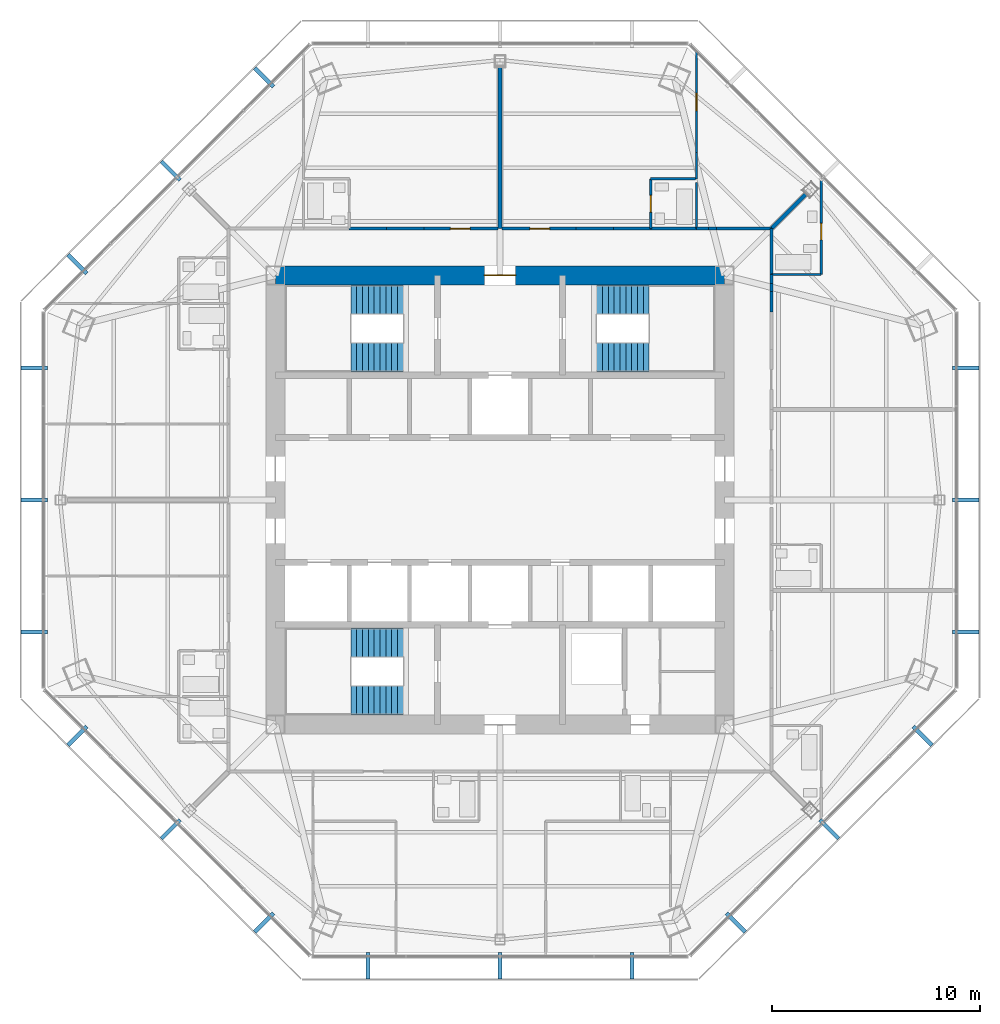
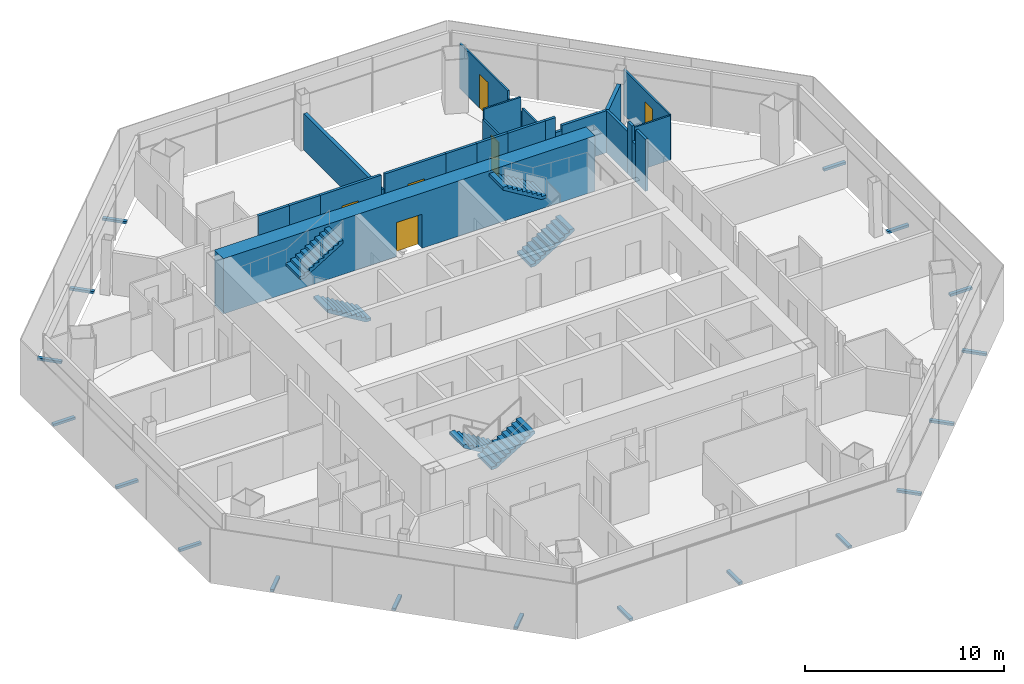
# One storey, part 12 of 15: 24 walls, 18 discrete accessories, 6 doors, 6 stair flights, 6 openings, 3 elements without a shape of their own.
"""IFC4 building model written with IfcOpenShell, lengths in metres."""

from ifc_helpers import new_model, si_unit, direction, frame, frame_2d, origin, origin_2d, place, context, subcontext, project, spatial, polyline, rectangle, outline, extrude, source, transform, mapped, material, layer, layer_set, type_object, type_shapes, element, fill, aggregate, save


model = new_model("IFC4")

# Units and contexts
model_context = context("Model", 3, precision=1e-05, world=origin(), true_north=direction((0.0, 1.0)))
body_context = subcontext(model_context, "Body", "Model", "MODEL_VIEW")
ifc_project = project(units=[si_unit("LENGTHUNIT", "METRE"), si_unit("AREAUNIT", "SQUARE_METRE"), si_unit("VOLUMEUNIT", "CUBIC_METRE"), si_unit("PLANEANGLEUNIT", "RADIAN"), si_unit("MASSUNIT", "GRAM", prefix="KILO")], contexts=[model_context])

# Site, building, storey
site_placement = place(None, origin())
site = spatial("IfcSite", under=ifc_project, at=site_placement, CompositionType="ELEMENT")
building_placement = place(site_placement, origin())
building = spatial("IfcBuilding", under=site, at=building_placement, Name="Mashrafa Tower", CompositionType="ELEMENT")
storey_placement = place(building_placement, frame((0.0, 0.0, 214.199951171875)))
storey = spatial("IfcBuildingStorey", under=building, at=storey_placement, Name="L49", CompositionType="ELEMENT", Elevation=214.199951171875)

# Walls
ifc_material_1 = material(Name="Gypsum board on steel studs", Category="steel")
ifc_layer_1 = layer(ifc_material_1, 0.199951171875)
ifc_layer_set_1 = layer_set([ifc_layer_1], Name="Acoustic partition 200 1 hr")
wall_type_1 = type_object("IfcWallType", Name="Acoustic partition 200 1 hr", PredefinedType="PARTITIONING", material=ifc_layer_set_1)
wall_1_placement = place(storey_placement, frame((14.70068359375, 14.70068359375, 0.0), z_axis=(0.0, 0.0, 1.0), x_axis=(-0.707106781187, -0.707106781187, 0.0)))
element("IfcWall", 1, at=wall_1_placement, inside=storey, type_object=wall_type_1, Name="Acoustic wall L49-071", PredefinedType="PARTITIONING", context=body_context, shape_type="SweptSolid", body=[
    extrude(rectangle(XDim=2.334228515625, YDim=0.199951171875, at=frame_2d((1.1669921875, 0.0))), origin(), (0.0, 0.0, 1.0), 2.577880859375),
])
wall_2_placement = place(storey_placement, frame((0.0, 20.7900390625, 0.0), z_axis=(0.0, 0.0, 1.0), x_axis=(0.0, -1.0, 0.0)))
element("IfcWall", 2, at=wall_2_placement, inside=storey, type_object=wall_type_1, Name="Acoustic wall L49-077", PredefinedType="PARTITIONING", context=body_context, shape_type="SweptSolid", body=[
    extrude(rectangle(XDim=7.739990234375, YDim=0.199951171875, at=frame_2d((3.8701171875, 0.0))), origin(), (0.0, 0.0, 1.0), 2.2529296875),
])

# Wall, opening, door
ifc_material_2 = material(Name="Concrete C50/60", Category="concrete")
ifc_layer_2 = layer(ifc_material_2, 0.89990234375)
ifc_layer_set_2 = layer_set([ifc_layer_2], Name="Core wall 900 C50/60")
wall_type_2 = type_object("IfcWallType", Name="Core wall 900 C50/60", PredefinedType="SOLIDWALL", material=ifc_layer_set_2)
wall_3_placement = place(storey_placement, frame((10.800048828125, 10.800048828125, 0.0), z_axis=(0.0, 0.0, 1.0), x_axis=(-1.0, 0.0, 0.0)))
wall_3 = element("IfcWall", 3, at=wall_3_placement, inside=storey, type_object=wall_type_2, Name="Core wall CW-N L49", PredefinedType="SOLIDWALL", context=body_context, shape_type="SweptSolid", body=[
    extrude(rectangle(XDim=21.60009765625, YDim=0.89990234375, at=frame_2d((10.800048828125, 0.0))), origin(), (0.0, 0.0, 1.0), 3.400146484375),
])
opening_1_placement = place(wall_3_placement, frame((10.050048828125, 0.0, 0.0)))
opening_1 = element("IfcOpeningElement", 4, at=opening_1_placement, cuts=wall_3, Name="Opening 49.034", PredefinedType="OPENING", context=body_context, shape_type="SweptSolid", body=[
    extrude(rectangle(XDim=1.5, YDim=2.10009765625, at=frame_2d((0.75, 1.050048828125))), frame((0.0, 0.4599609375, 0.0), z_axis=(0.0, -1.0, 0.0), x_axis=(1.0, 0.0, 0.0)), (0.0, 0.0, 1.0), 0.919921875),
])
ifc_material_3 = material(Name="Steel door", Category="steel")
door_type_1 = type_object("IfcDoorType", Name="Lobby door pair 1500 x 2100 90 min", OperationType="DOUBLE_DOOR_SINGLE_SWING", PredefinedType="DOOR", material=ifc_material_3)
door_1_placement = place(opening_1_placement, origin())
door_1 = element("IfcDoor", 5, at=door_1_placement, inside=storey, type_object=door_type_1, Name="Fire-fighting lobby F1 door L49", OperationType="DOUBLE_DOOR_SINGLE_SWING", OverallHeight=2.10009765625, OverallWidth=1.5, PredefinedType="DOOR", context=body_context, shape_type="SweptSolid", body=[
    extrude(rectangle(XDim=1.5, YDim=2.10009765625, at=frame_2d((0.75, 1.050048828125))), frame((0.0, 0.02490234375, 0.0), z_axis=(0.0, -1.0, 0.0), x_axis=(1.0, 0.0, 0.0)), (0.0, 0.0, 1.0), 0.050048828125),
])
fill(opening_1, door_1)

# Walls
ifc_material_4 = material(Name="Gypsum board on steel studs", Category="steel")
ifc_layer_3 = layer(ifc_material_4, 0.14990234375)
ifc_layer_set_3 = layer_set([ifc_layer_3], Name="Corridor partition 150 1 hr")
wall_type_3 = type_object("IfcWallType", Name="Corridor partition 150 1 hr", PredefinedType="PARTITIONING", material=ifc_layer_set_3)
wall_4_placement = place(storey_placement, frame((13.050048828125, 10.84912109375, 0.0), z_axis=(0.0, 0.0, 1.0), x_axis=(0.0, 1.0, 0.0)))
element("IfcWall", 6, at=wall_4_placement, inside=storey, type_object=wall_type_3, Name="Corridor wall L49-012", PredefinedType="PARTITIONING", context=body_context, shape_type="SweptSolid", body=[
    extrude(rectangle(XDim=2.200927734375, YDim=0.14990234375, at=frame_2d((1.1005859375, 0.0))), origin(), (0.0, 0.0, 1.0), 2.577880859375),
])
wall_5_placement = place(storey_placement, frame((13.050048828125, 9.049072265625, 0.0), z_axis=(0.0, 0.0, 1.0), x_axis=(0.0, 1.0, 0.0)))
element("IfcWall", 7, at=wall_5_placement, inside=storey, type_object=wall_type_3, Name="Corridor wall L49-015", PredefinedType="PARTITIONING", context=body_context, shape_type="SweptSolid", body=[
    extrude(rectangle(XDim=0.97802734375, YDim=0.14990234375, at=frame_2d((0.489013671875, 0.0))), origin(), (0.0, 0.0, 1.0), 3.199951171875),
])
wall_6_placement = place(storey_placement, frame((13.050048828125, 10.404052734375, 0.0), z_axis=(0.0, 0.0, 1.0), x_axis=(0.0, 1.0, 0.0)))
element("IfcWall", 8, at=wall_6_placement, inside=storey, type_object=wall_type_3, Name="Corridor wall L49-016", PredefinedType="PARTITIONING", context=body_context, shape_type="SweptSolid", body=[
    extrude(rectangle(XDim=0.447021484375, YDim=0.14990234375, at=frame_2d((0.2236328125, 0.0))), origin(), (0.0, 0.0, 1.0), 3.199951171875),
])
wall_7_placement = place(storey_placement, frame((13.050048828125, 10.027099609375, 0.0), z_axis=(0.0, 0.0, 1.0), x_axis=(0.0, 1.0, 0.0)))
element("IfcWall", 9, at=wall_7_placement, inside=storey, type_object=wall_type_3, Name="Corridor wall L49-017", PredefinedType="PARTITIONING", context=body_context, shape_type="SweptSolid", body=[
    extrude(rectangle(XDim=0.376953125, YDim=0.14990234375, at=frame_2d((0.1884765625, 0.0))), origin(), (0.0, 0.0, 1.0), 2.26806640625),
])
wall_8_placement = place(storey_placement, frame((13.050048828125, 13.050048828125, 0.0), z_axis=(0.0, 0.0, 1.0), x_axis=(-1.0, 0.0, 0.0)))
element("IfcWall", 10, at=wall_8_placement, inside=storey, type_object=wall_type_3, Name="Corridor wall L49-018", PredefinedType="PARTITIONING", context=body_context, shape_type="SweptSolid", body=[
    extrude(rectangle(XDim=2.64599609375, YDim=0.14990234375, at=frame_2d((1.322998046875, 0.0))), origin(), (0.0, 0.0, 1.0), 2.577880859375),
])
wall_9_placement = place(storey_placement, frame((10.027099609375, 13.050048828125, 0.0), z_axis=(0.0, 0.0, 1.0), x_axis=(-1.0, 0.0, 0.0)))
element("IfcWall", 11, at=wall_9_placement, inside=storey, type_object=wall_type_3, Name="Corridor wall L49-019", PredefinedType="PARTITIONING", context=body_context, shape_type="SweptSolid", body=[
    extrude(rectangle(XDim=0.578125, YDim=0.14990234375, at=frame_2d((0.2890625, 0.0))), origin(), (0.0, 0.0, 1.0), 3.199951171875),
])
wall_10_placement = place(storey_placement, frame((10.404052734375, 13.050048828125, 0.0), z_axis=(0.0, 0.0, 1.0), x_axis=(-1.0, 0.0, 0.0)))
element("IfcWall", 12, at=wall_10_placement, inside=storey, type_object=wall_type_3, Name="Corridor wall L49-020", PredefinedType="PARTITIONING", context=body_context, shape_type="SweptSolid", body=[
    extrude(rectangle(XDim=0.376953125, YDim=0.14990234375, at=frame_2d((0.1884765625, 0.0))), origin(), (0.0, 0.0, 1.0), 2.26806640625),
])
wall_11_placement = place(storey_placement, frame((9.450927734375, 13.050048828125, 0.0), z_axis=(0.0, 0.0, 1.0), x_axis=(-1.0, 0.0, 0.0)))
element("IfcWall", 13, at=wall_11_placement, inside=storey, type_object=wall_type_3, Name="Corridor wall L49-021", PredefinedType="PARTITIONING", context=body_context, shape_type="SweptSolid", body=[
    extrude(rectangle(XDim=2.201904296875, YDim=0.14990234375, at=frame_2d((1.10107421875, 0.0))), origin(), (0.0, 0.0, 1.0), 3.199951171875),
])
wall_12_placement = place(storey_placement, frame((5.450927734375, 13.050048828125, 0.0), z_axis=(0.0, 0.0, 1.0), x_axis=(-1.0, 0.0, 0.0)))
element("IfcWall", 14, at=wall_12_placement, inside=storey, type_object=wall_type_3, Name="Corridor wall L49-022", PredefinedType="PARTITIONING", context=body_context, shape_type="SweptSolid", body=[
    extrude(rectangle(XDim=1.802001953125, YDim=0.14990234375, at=frame_2d((0.90087890625, 0.0))), origin(), (0.0, 0.0, 1.0), 3.199951171875),
])

# Wall, opening, door
wall_13_placement = place(storey_placement, frame((3.65087890625, 13.050048828125, 0.0), z_axis=(0.0, 0.0, 1.0), x_axis=(-1.0, 0.0, 0.0)))
wall_13 = element("IfcWall", 15, at=wall_13_placement, inside=storey, type_object=wall_type_3, Name="Corridor wall L49-023", PredefinedType="PARTITIONING", context=body_context, shape_type="SweptSolid", body=[
    extrude(rectangle(XDim=3.548828125, YDim=0.14990234375, at=frame_2d((1.7744140625, 0.0))), origin(), (0.0, 0.0, 1.0), 3.199951171875),
])
opening_2_placement = place(wall_13_placement, frame((1.2587890625, 0.0, 0.0)))
opening_2 = element("IfcOpeningElement", 16, at=opening_2_placement, cuts=wall_13, Name="Opening 49.009", PredefinedType="OPENING", context=body_context, shape_type="SweptSolid", body=[
    extrude(rectangle(XDim=0.949951171875, YDim=2.10009765625, at=frame_2d((0.47509765625, 1.050048828125))), frame((0.0, 0.0849609375, 0.0), z_axis=(0.0, -1.0, 0.0), x_axis=(1.0, 0.0, 0.0)), (0.0, 0.0, 1.0), 0.169921875),
])
ifc_material_5 = material(Name="Steel door", Category="steel")
door_type_2 = type_object("IfcDoorType", Name="Residence entrance door 950 x 2100 20 min", OperationType="USERDEFINED", PredefinedType="DOOR", material=ifc_material_5)
door_2_placement = place(opening_2_placement, frame((0.949951171875, 0.0, 0.0), z_axis=(0.0, 0.0, 1.0), x_axis=(-1.0, 0.0, 0.0)))
door_2 = element("IfcDoor", 17, at=door_2_placement, inside=storey, type_object=door_type_2, Name="Apartment 4904 Living Room door", OperationType="SINGLE_SWING_RIGHT", OverallHeight=2.10009765625, OverallWidth=0.949951171875, PredefinedType="DOOR", context=body_context, shape_type="SweptSolid", body=[
    extrude(rectangle(XDim=0.949951171875, YDim=2.10009765625, at=frame_2d((0.47509765625, 1.050048828125))), frame((0.0, 0.02490234375, 0.0), z_axis=(0.0, -1.0, 0.0), x_axis=(1.0, 0.0, 0.0)), (0.0, 0.0, 1.0), 0.050048828125),
])
fill(opening_2, door_2)

# Walls
for number, where, z_axis, x_axis, name in (
    (18, (7.2509765625, 13.050048828125, 0.0), (0.0, 0.0, 1.0), (-1.0, 0.0, 0.0), "Corridor wall L49-024"),
    (19, (-3.64892578125, 13.050048828125, 0.0), (0.0, 0.0, 1.0), (-1.0, 0.0, 0.0), "Corridor wall L49-029"),
    (20, (-5.448974609375, 13.050048828125, 0.0), (0.0, 0.0, 1.0), (-1.0, 0.0, 0.0), "Corridor wall L49-030"),
):
    element("IfcWall", number, at=place(storey_placement, frame(where, z_axis=z_axis, x_axis=x_axis)), inside=storey, type_object=wall_type_3, Name=name, PredefinedType="PARTITIONING", context=body_context, shape_type="SweptSolid", body=[
        extrude(rectangle(XDim=1.802001953125, YDim=0.14990234375, at=frame_2d((0.90087890625, 0.0))), origin(), (0.0, 0.0, 1.0), 3.199951171875),
    ])

# Wall, opening, door
wall_14_placement = place(storey_placement, frame((-0.10205078125, 13.050048828125, 0.0), z_axis=(0.0, 0.0, 1.0), x_axis=(-1.0, 0.0, 0.0)))
wall_14 = element("IfcWall", 21, at=wall_14_placement, inside=storey, type_object=wall_type_3, Name="Corridor wall L49-031", PredefinedType="PARTITIONING", context=body_context, shape_type="SweptSolid", body=[
    extrude(rectangle(XDim=3.548828125, YDim=0.14990234375, at=frame_2d((1.7744140625, 0.0))), origin(), (0.0, 0.0, 1.0), 3.199951171875),
])
opening_3_placement = place(wall_14_placement, frame((1.34033203125, 0.0, 0.0)))
opening_3 = element("IfcOpeningElement", 22, at=opening_3_placement, cuts=wall_14, Name="Opening 49.012", PredefinedType="OPENING", context=body_context, shape_type="SweptSolid", body=[
    extrude(rectangle(XDim=0.949951171875, YDim=2.10009765625, at=frame_2d((0.47509765625, 1.050048828125))), frame((0.0, 0.0849609375, 0.0), z_axis=(0.0, -1.0, 0.0), x_axis=(1.0, 0.0, 0.0)), (0.0, 0.0, 1.0), 0.169921875),
])
door_3_placement = place(opening_3_placement, frame((0.949951171875, 0.0, 0.0), z_axis=(0.0, 0.0, 1.0), x_axis=(-1.0, 0.0, 0.0)))
door_3 = element("IfcDoor", 23, at=door_3_placement, inside=storey, type_object=door_type_2, Name="Apartment 4905 Living Room door", OperationType="SINGLE_SWING_LEFT", OverallHeight=2.10009765625, OverallWidth=0.949951171875, PredefinedType="DOOR", context=body_context, shape_type="SweptSolid", body=[
    extrude(rectangle(XDim=0.949951171875, YDim=2.10009765625, at=frame_2d((0.47509765625, 1.050048828125))), frame((0.0, 0.02490234375, 0.0), z_axis=(0.0, -1.0, 0.0), x_axis=(1.0, 0.0, 0.0)), (0.0, 0.0, 1.0), 0.050048828125),
])
fill(opening_3, door_3)

# Wall
ifc_material_6 = material(Name="Gypsum board on steel studs", Category="steel")
ifc_layer_4 = layer(ifc_material_6, 0.10009765625)
ifc_layer_set_4 = layer_set([ifc_layer_4], Name="Partition 100")
wall_type_4 = type_object("IfcWallType", Name="Partition 100", PredefinedType="PARTITIONING", material=ifc_layer_set_4)
wall_15_placement = place(storey_placement, frame((13.050048828125, 10.85009765625, 0.0), z_axis=(0.0, 0.0, 1.0), x_axis=(1.0, 0.0, 0.0)))
element("IfcWall", 24, at=wall_15_placement, inside=storey, type_object=wall_type_4, Name="Partition wall L49-069", PredefinedType="PARTITIONING", context=body_context, shape_type="SweptSolid", body=[
    extrude(rectangle(XDim=2.39990234375, YDim=0.10009765625, at=frame_2d((1.199951171875, 0.0))), origin(), (0.0, 0.0, 1.0), 2.740478515625),
])

# Wall, opening, door
wall_16_placement = place(storey_placement, frame((15.449951171875, 10.85009765625, 0.0), z_axis=(0.0, 0.0, 1.0), x_axis=(0.0, 1.0, 0.0)))
wall_16 = element("IfcWall", 25, at=wall_16_placement, inside=storey, type_object=wall_type_4, Name="Partition wall L49-070", PredefinedType="PARTITIONING", context=body_context, shape_type="SweptSolid", body=[
    extrude(rectangle(XDim=4.6171875, YDim=0.10009765625, at=frame_2d((2.30859375, 0.0))), origin(), (0.0, 0.0, 1.0), 2.78369140625),
])
opening_4_placement = place(wall_16_placement, frame((1.656494140625, 0.0, 0.0)))
opening_4 = element("IfcOpeningElement", 26, at=opening_4_placement, cuts=wall_16, Name="Opening 49.005", PredefinedType="OPENING", context=body_context, shape_type="SweptSolid", body=[
    extrude(rectangle(XDim=0.800048828125, YDim=2.10009765625, at=frame_2d((0.39990234375, 1.050048828125))), frame((0.0, 0.06005859375, 0.0), z_axis=(0.0, -1.0, 0.0), x_axis=(1.0, 0.0, 0.0)), (0.0, 0.0, 1.0), 0.1201171875),
])
ifc_material_7 = material(Name="Timber door", Category="wood")
door_type_3 = type_object("IfcDoorType", Name="Bathroom door 800 x 2100", OperationType="USERDEFINED", PredefinedType="DOOR", material=ifc_material_7)
door_4_placement = place(opening_4_placement, origin())
door_4 = element("IfcDoor", 27, at=door_4_placement, inside=storey, type_object=door_type_3, Name="Apartment 4903 Bathroom door", OperationType="SINGLE_SWING_RIGHT", OverallHeight=2.10009765625, OverallWidth=0.800048828125, PredefinedType="DOOR", context=body_context, shape_type="SweptSolid", body=[
    extrude(rectangle(XDim=0.800048828125, YDim=2.10009765625, at=frame_2d((0.39990234375, 1.050048828125))), frame((0.0, 0.02490234375, 0.0), z_axis=(0.0, -1.0, 0.0), x_axis=(1.0, 0.0, 0.0)), (0.0, 0.0, 1.0), 0.050048828125),
])
fill(opening_4, door_4)

# Wall
wall_17_placement = place(storey_placement, frame((9.449951171875, 15.271484375, 0.0), z_axis=(0.0, 0.0, 1.0), x_axis=(0.0, -1.0, 0.0)))
element("IfcWall", 28, at=wall_17_placement, inside=storey, type_object=wall_type_4, Name="Partition wall L49-072", PredefinedType="PARTITIONING", context=body_context, shape_type="SweptSolid", body=[
    extrude(rectangle(XDim=2.221435546875, YDim=0.10009765625, at=frame_2d((1.11083984375, 0.0))), origin(), (0.0, 0.0, 1.0), 2.590576171875),
])

# Wall, opening, door
wall_18_placement = place(storey_placement, frame((9.449951171875, 21.57763671875, 0.0), z_axis=(0.0, 0.0, 1.0), x_axis=(0.0, -1.0, 0.0)))
wall_18 = element("IfcWall", 29, at=wall_18_placement, inside=storey, type_object=wall_type_4, Name="Partition wall L49-073", PredefinedType="PARTITIONING", context=body_context, shape_type="SweptSolid", body=[
    extrude(rectangle(XDim=4.855224609375, YDim=0.10009765625, at=frame_2d((2.427734375, 0.0))), origin(), (0.0, 0.0, 1.0), 2.78369140625),
])
opening_5_placement = place(wall_18_placement, frame((2.006103515625, 0.0, 0.0)))
opening_5 = element("IfcOpeningElement", 30, at=opening_5_placement, cuts=wall_18, Name="Opening 49.007", PredefinedType="OPENING", context=body_context, shape_type="SweptSolid", body=[
    extrude(rectangle(XDim=0.85009765625, YDim=2.10009765625, at=frame_2d((0.425048828125, 1.050048828125))), frame((0.0, 0.06005859375, 0.0), z_axis=(0.0, -1.0, 0.0), x_axis=(1.0, 0.0, 0.0)), (0.0, 0.0, 1.0), 0.1201171875),
])
ifc_material_8 = material(Name="Timber door", Category="wood")
door_type_4 = type_object("IfcDoorType", Name="Bedroom door 850 x 2100", OperationType="USERDEFINED", PredefinedType="DOOR", material=ifc_material_8)
door_5_placement = place(opening_5_placement, origin())
door_5 = element("IfcDoor", 31, at=door_5_placement, inside=storey, type_object=door_type_4, Name="Apartment 4904 Bedroom 1 door", OperationType="SINGLE_SWING_LEFT", OverallHeight=2.10009765625, OverallWidth=0.85009765625, PredefinedType="DOOR", context=body_context, shape_type="SweptSolid", body=[
    extrude(rectangle(XDim=0.85009765625, YDim=2.10009765625, at=frame_2d((0.425048828125, 1.050048828125))), frame((0.0, 0.02490234375, 0.0), z_axis=(0.0, -1.0, 0.0), x_axis=(1.0, 0.0, 0.0)), (0.0, 0.0, 1.0), 0.050048828125),
])
fill(opening_5, door_5)

# Walls
wall_19_placement = place(storey_placement, frame((9.449951171875, 16.722412109375, 0.0), z_axis=(0.0, 0.0, 1.0), x_axis=(0.0, -1.0, 0.0)))
element("IfcWall", 32, at=wall_19_placement, inside=storey, type_object=wall_type_4, Name="Partition wall L49-074", PredefinedType="PARTITIONING", context=body_context, shape_type="SweptSolid", body=[
    extrude(rectangle(XDim=1.2734375, YDim=0.10009765625, at=frame_2d((0.63671875, 0.0))), origin(), (0.0, 0.0, 1.0), 2.26806640625),
])
wall_20_placement = place(storey_placement, frame((9.403564453125, 15.449951171875, 0.0), z_axis=(0.0, 0.0, 1.0), x_axis=(-1.0, 0.0, 0.0)))
element("IfcWall", 33, at=wall_20_placement, inside=storey, type_object=wall_type_4, Name="Partition wall L49-075", PredefinedType="PARTITIONING", context=body_context, shape_type="SweptSolid", body=[
    extrude(rectangle(XDim=2.153564453125, YDim=0.10009765625, at=frame_2d((1.07666015625, 0.0))), origin(), (0.0, 0.0, 1.0), 3.199951171875),
])

# Wall, opening, door
wall_21_placement = place(storey_placement, frame((7.25, 15.449951171875, 0.0), z_axis=(0.0, 0.0, 1.0), x_axis=(0.0, -1.0, 0.0)))
wall_21 = element("IfcWall", 34, at=wall_21_placement, inside=storey, type_object=wall_type_4, Name="Partition wall L49-076", PredefinedType="PARTITIONING", context=body_context, shape_type="SweptSolid", body=[
    extrude(rectangle(XDim=2.39990234375, YDim=0.10009765625, at=frame_2d((1.199951171875, 0.0))), origin(), (0.0, 0.0, 1.0), 2.590576171875),
])
opening_6_placement = place(wall_21_placement, frame((0.800048828125, 0.0, 0.0)))
opening_6 = element("IfcOpeningElement", 35, at=opening_6_placement, cuts=wall_21, Name="Opening 49.008", PredefinedType="OPENING", context=body_context, shape_type="SweptSolid", body=[
    extrude(rectangle(XDim=0.800048828125, YDim=2.10009765625, at=frame_2d((0.39990234375, 1.050048828125))), frame((0.0, 0.06005859375, 0.0), z_axis=(0.0, -1.0, 0.0), x_axis=(1.0, 0.0, 0.0)), (0.0, 0.0, 1.0), 0.1201171875),
])
door_6_placement = place(opening_6_placement, origin())
door_6 = element("IfcDoor", 36, at=door_6_placement, inside=storey, type_object=door_type_3, Name="Apartment 4904 Bathroom door", OperationType="SINGLE_SWING_RIGHT", OverallHeight=2.10009765625, OverallWidth=0.800048828125, PredefinedType="DOOR", context=body_context, shape_type="SweptSolid", body=[
    extrude(rectangle(XDim=0.800048828125, YDim=2.10009765625, at=frame_2d((0.39990234375, 1.050048828125))), frame((0.0, 0.02490234375, 0.0), z_axis=(0.0, -1.0, 0.0), x_axis=(1.0, 0.0, 0.0)), (0.0, 0.0, 1.0), 0.050048828125),
])
fill(opening_6, door_6)

# Stair, stair flights
ifc_material_9 = material(Name="Exit stair 1400")
stair_type = type_object("IfcStairType", Name="Exit stair 1400", PredefinedType="HALF_TURN_STAIR", material=ifc_material_9)
stair_1_placement = place(storey_placement, origin())
stair_1 = element("IfcStair", 37, at=stair_1_placement, inside=storey, type_object=stair_type, Name="Stair S1 L49", PredefinedType="HALF_TURN_STAIR")
ifc_material_10 = material(Name="Concrete C32/40", Category="concrete")
stair_flight_type = type_object("IfcStairFlightType", Name="Stair flight 1400", PredefinedType="STRAIGHT", material=ifc_material_10)
stair_flight_1_placement = place(storey_placement, frame((-4.64990234375, 6.85009765625, 0.0), z_axis=(0.0, 0.0, 1.0), x_axis=(-1.0, 0.0, 0.0)))
stair_flight_1 = element("IfcStairFlight", 38, at=stair_flight_1_placement, type_object=stair_flight_type, Name="S1 flight 1", NumberOfRisers=10, NumberOfTreads=9, PredefinedType="STRAIGHT", RiserHeight=0.17, TreadLength=0.28, context=body_context, shape_type="SweptSolid", body=[
    extrude(outline(polyline([(0.0, 0.0), (0.0, 0.169921875), (0.280029296875, 0.169921875), (0.280029296875, 0.340087890625), (0.56005859375, 0.340087890625), (0.56005859375, 0.510009765625), (0.840087890625, 0.510009765625), (0.840087890625, 0.679931640625), (1.1201171875, 0.679931640625), (1.1201171875, 0.85009765625), (1.39990234375, 0.85009765625), (1.39990234375, 1.02001953125), (1.679931640625, 1.02001953125), (1.679931640625, 1.18994140625), (1.9599609375, 1.18994140625), (1.9599609375, 1.360107421875), (2.239990234375, 1.360107421875), (2.239990234375, 1.530029296875), (2.52001953125, 1.530029296875), (2.52001953125, 1.699951171875), (2.52001953125, 1.354736328125), (0.288818359375, 0.0), (0.0, 0.0)])), frame((0.0, 0.699951171875, 0.0), z_axis=(0.0, -1.0, 0.0), x_axis=(1.0, 0.0, 0.0)), (0.0, 0.0, 1.0), 1.39990234375),
])
stair_flight_2_placement = place(storey_placement, frame((-7.169921875, 9.64990234375, 1.699951171875), z_axis=(0.0, 0.0, 1.0), x_axis=(1.0, 0.0, 0.0)))
stair_flight_2 = element("IfcStairFlight", 39, at=stair_flight_2_placement, type_object=stair_flight_type, Name="S1 flight 2", NumberOfRisers=10, NumberOfTreads=9, PredefinedType="STRAIGHT", RiserHeight=0.17, TreadLength=0.28, context=body_context, shape_type="SweptSolid", body=[
    extrude(outline(polyline([(0.0, 0.0), (0.0, 0.169921875), (0.280029296875, 0.169921875), (0.280029296875, 0.340087890625), (0.56005859375, 0.340087890625), (0.56005859375, 0.510009765625), (0.840087890625, 0.510009765625), (0.840087890625, 0.679931640625), (1.1201171875, 0.679931640625), (1.1201171875, 0.85009765625), (1.39990234375, 0.85009765625), (1.39990234375, 1.02001953125), (1.679931640625, 1.02001953125), (1.679931640625, 1.18994140625), (1.9599609375, 1.18994140625), (1.9599609375, 1.360107421875), (2.239990234375, 1.360107421875), (2.239990234375, 1.530029296875), (2.52001953125, 1.530029296875), (2.52001953125, 1.699951171875), (2.52001953125, 1.354736328125), (0.288818359375, 0.0), (0.0, 0.0)])), frame((0.0, 0.699951171875, 0.0), z_axis=(0.0, -1.0, 0.0), x_axis=(1.0, 0.0, 0.0)), (0.0, 0.0, 1.0), 1.39990234375),
])
aggregate(stair_1, [stair_flight_1, stair_flight_2])

stair_2_placement = place(storey_placement, origin())
stair_2 = element("IfcStair", 40, at=stair_2_placement, inside=storey, type_object=stair_type, Name="Stair S2 L49", PredefinedType="HALF_TURN_STAIR")
stair_flight_3_placement = place(storey_placement, frame((4.64990234375, 6.85009765625, 0.0), z_axis=(0.0, 0.0, 1.0), x_axis=(1.0, 0.0, 0.0)))
stair_flight_3 = element("IfcStairFlight", 41, at=stair_flight_3_placement, type_object=stair_flight_type, Name="S2 flight 1", NumberOfRisers=10, NumberOfTreads=9, PredefinedType="STRAIGHT", RiserHeight=0.17, TreadLength=0.28, context=body_context, shape_type="SweptSolid", body=[
    extrude(outline(polyline([(0.0, 0.0), (0.0, 0.169921875), (0.280029296875, 0.169921875), (0.280029296875, 0.340087890625), (0.56005859375, 0.340087890625), (0.56005859375, 0.510009765625), (0.840087890625, 0.510009765625), (0.840087890625, 0.679931640625), (1.1201171875, 0.679931640625), (1.1201171875, 0.85009765625), (1.39990234375, 0.85009765625), (1.39990234375, 1.02001953125), (1.679931640625, 1.02001953125), (1.679931640625, 1.18994140625), (1.9599609375, 1.18994140625), (1.9599609375, 1.360107421875), (2.239990234375, 1.360107421875), (2.239990234375, 1.530029296875), (2.52001953125, 1.530029296875), (2.52001953125, 1.699951171875), (2.52001953125, 1.354736328125), (0.288818359375, 0.0), (0.0, 0.0)])), frame((0.0, 0.699951171875, 0.0), z_axis=(0.0, -1.0, 0.0), x_axis=(1.0, 0.0, 0.0)), (0.0, 0.0, 1.0), 1.39990234375),
])
stair_flight_4_placement = place(storey_placement, frame((7.169921875, 9.64990234375, 1.699951171875), z_axis=(0.0, 0.0, 1.0), x_axis=(-1.0, 0.0, 0.0)))
stair_flight_4 = element("IfcStairFlight", 42, at=stair_flight_4_placement, type_object=stair_flight_type, Name="S2 flight 2", NumberOfRisers=10, NumberOfTreads=9, PredefinedType="STRAIGHT", RiserHeight=0.17, TreadLength=0.28, context=body_context, shape_type="SweptSolid", body=[
    extrude(outline(polyline([(0.0, 0.0), (0.0, 0.169921875), (0.280029296875, 0.169921875), (0.280029296875, 0.340087890625), (0.56005859375, 0.340087890625), (0.56005859375, 0.510009765625), (0.840087890625, 0.510009765625), (0.840087890625, 0.679931640625), (1.1201171875, 0.679931640625), (1.1201171875, 0.85009765625), (1.39990234375, 0.85009765625), (1.39990234375, 1.02001953125), (1.679931640625, 1.02001953125), (1.679931640625, 1.18994140625), (1.9599609375, 1.18994140625), (1.9599609375, 1.360107421875), (2.239990234375, 1.360107421875), (2.239990234375, 1.530029296875), (2.52001953125, 1.530029296875), (2.52001953125, 1.699951171875), (2.52001953125, 1.354736328125), (0.288818359375, 0.0), (0.0, 0.0)])), frame((0.0, 0.699951171875, 0.0), z_axis=(0.0, -1.0, 0.0), x_axis=(1.0, 0.0, 0.0)), (0.0, 0.0, 1.0), 1.39990234375),
])
aggregate(stair_2, [stair_flight_3, stair_flight_4])

stair_3_placement = place(storey_placement, origin())
stair_3 = element("IfcStair", 43, at=stair_3_placement, inside=storey, type_object=stair_type, Name="Stair S3 L49", PredefinedType="HALF_TURN_STAIR")
stair_flight_5_placement = place(storey_placement, frame((-4.64990234375, -6.85009765625, 0.0), z_axis=(0.0, 0.0, 1.0), x_axis=(-1.0, 0.0, 0.0)))
stair_flight_5 = element("IfcStairFlight", 44, at=stair_flight_5_placement, type_object=stair_flight_type, Name="S3 flight 1", NumberOfRisers=10, NumberOfTreads=9, PredefinedType="STRAIGHT", RiserHeight=0.17, TreadLength=0.28, context=body_context, shape_type="SweptSolid", body=[
    extrude(outline(polyline([(0.0, 0.0), (0.0, 0.169921875), (0.280029296875, 0.169921875), (0.280029296875, 0.340087890625), (0.56005859375, 0.340087890625), (0.56005859375, 0.510009765625), (0.840087890625, 0.510009765625), (0.840087890625, 0.679931640625), (1.1201171875, 0.679931640625), (1.1201171875, 0.85009765625), (1.39990234375, 0.85009765625), (1.39990234375, 1.02001953125), (1.679931640625, 1.02001953125), (1.679931640625, 1.18994140625), (1.9599609375, 1.18994140625), (1.9599609375, 1.360107421875), (2.239990234375, 1.360107421875), (2.239990234375, 1.530029296875), (2.52001953125, 1.530029296875), (2.52001953125, 1.699951171875), (2.52001953125, 1.354736328125), (0.288818359375, 0.0), (0.0, 0.0)])), frame((0.0, 0.699951171875, 0.0), z_axis=(0.0, -1.0, 0.0), x_axis=(1.0, 0.0, 0.0)), (0.0, 0.0, 1.0), 1.39990234375),
])
stair_flight_6_placement = place(storey_placement, frame((-7.169921875, -9.64990234375, 1.699951171875), z_axis=(0.0, 0.0, 1.0), x_axis=(1.0, 0.0, 0.0)))
stair_flight_6 = element("IfcStairFlight", 45, at=stair_flight_6_placement, type_object=stair_flight_type, Name="S3 flight 2", NumberOfRisers=10, NumberOfTreads=9, PredefinedType="STRAIGHT", RiserHeight=0.17, TreadLength=0.28, context=body_context, shape_type="SweptSolid", body=[
    extrude(outline(polyline([(0.0, 0.0), (0.0, 0.169921875), (0.280029296875, 0.169921875), (0.280029296875, 0.340087890625), (0.56005859375, 0.340087890625), (0.56005859375, 0.510009765625), (0.840087890625, 0.510009765625), (0.840087890625, 0.679931640625), (1.1201171875, 0.679931640625), (1.1201171875, 0.85009765625), (1.39990234375, 0.85009765625), (1.39990234375, 1.02001953125), (1.679931640625, 1.02001953125), (1.679931640625, 1.18994140625), (1.9599609375, 1.18994140625), (1.9599609375, 1.360107421875), (2.239990234375, 1.360107421875), (2.239990234375, 1.530029296875), (2.52001953125, 1.530029296875), (2.52001953125, 1.699951171875), (2.52001953125, 1.354736328125), (0.288818359375, 0.0), (0.0, 0.0)])), frame((0.0, 0.699951171875, 0.0), z_axis=(0.0, -1.0, 0.0), x_axis=(1.0, 0.0, 0.0)), (0.0, 0.0, 1.0), 1.39990234375),
])
aggregate(stair_3, [stair_flight_5, stair_flight_6])

# Discrete accessories
ifc_material_11 = material(Name="Stainless steel screen bracket", Category="steel")
discrete_accessory_type = type_object("IfcDiscreteAccessoryType", Name="Screen support bracket 200 x 150", PredefinedType="BRACKET", material=ifc_material_11)
shared_shape = source(origin(), body_context, "Body", "SweptSolid", [
    extrude(rectangle(XDim=0.199951171875, YDim=1.27001953125, at=origin_2d()), origin(), (0.0, 0.0, 1.0), 0.14990234375),
])
type_shapes(discrete_accessory_type, [shared_shape])
for number, where, z_axis, x_axis, name in (
    (46, (22.390380859375, -6.3515625, -0.14990234375), (0.0, 0.0, 1.0), (0.0, 1.0, 0.0), "Screen support bracket L49 east 1"),
    (47, (22.390380859375, 0.0, -0.14990234375), (0.0, 0.0, 1.0), (0.0, 1.0, 0.0), "Screen support bracket L49 east 2"),
    (48, (22.390380859375, 6.3515625, -0.14990234375), (0.0, 0.0, 1.0), (0.0, 1.0, 0.0), "Screen support bracket L49 east 3"),
    (49, (-11.341064453125, 20.323486328125, -0.14990234375), (0.0, 0.0, 1.0), (-0.707106781187, -0.707106781187, 0.0), "Screen support bracket L49 north-west 1"),
    (50, (-15.832275390625, 15.832275390625, -0.14990234375), (0.0, 0.0, 1.0), (-0.707106781187, -0.707106781187, 0.0), "Screen support bracket L49 north-west 2"),
    (51, (-20.323486328125, 11.341064453125, -0.14990234375), (0.0, 0.0, 1.0), (-0.707106781187, -0.707106781187, 0.0), "Screen support bracket L49 north-west 3"),
    (52, (-22.390380859375, 6.3515625, -0.14990234375), (0.0, 0.0, 1.0), (0.0, -1.0, 0.0), "Screen support bracket L49 west 1"),
    (53, (-22.390380859375, 0.0, -0.14990234375), (0.0, 0.0, 1.0), (0.0, -1.0, 0.0), "Screen support bracket L49 west 2"),
    (54, (-22.390380859375, -6.3515625, -0.14990234375), (0.0, 0.0, 1.0), (0.0, -1.0, 0.0), "Screen support bracket L49 west 3"),
    (55, (-20.323486328125, -11.341064453125, -0.14990234375), (0.0, 0.0, 1.0), (0.707106781187, -0.707106781187, 0.0), "Screen support bracket L49 south-west 1"),
    (56, (-15.832275390625, -15.832275390625, -0.14990234375), (0.0, 0.0, 1.0), (0.707106781187, -0.707106781187, 0.0), "Screen support bracket L49 south-west 2"),
    (57, (-11.341064453125, -20.323486328125, -0.14990234375), (0.0, 0.0, 1.0), (0.707106781187, -0.707106781187, 0.0), "Screen support bracket L49 south-west 3"),
    (58, (-6.3515625, -22.390380859375, -0.14990234375), (0.0, 0.0, 1.0), (1.0, 0.0, 0.0), "Screen support bracket L49 south 1"),
    (59, (0.0, -22.390380859375, -0.14990234375), (0.0, 0.0, 1.0), (1.0, 0.0, 0.0), "Screen support bracket L49 south 2"),
    (60, (6.3515625, -22.390380859375, -0.14990234375), (0.0, 0.0, 1.0), (1.0, 0.0, 0.0), "Screen support bracket L49 south 3"),
    (61, (11.341064453125, -20.323486328125, -0.14990234375), (0.0, 0.0, 1.0), (0.707106781187, 0.707106781187, 0.0), "Screen support bracket L49 south-east 1"),
    (62, (15.832275390625, -15.832275390625, -0.14990234375), (0.0, 0.0, 1.0), (0.707106781187, 0.707106781187, 0.0), "Screen support bracket L49 south-east 2"),
    (63, (20.323486328125, -11.341064453125, -0.14990234375), (0.0, 0.0, 1.0), (0.707106781187, 0.707106781187, 0.0), "Screen support bracket L49 south-east 3"),
):
    element("IfcDiscreteAccessory", number, at=place(storey_placement, frame(where, z_axis=z_axis, x_axis=x_axis)), inside=storey, type_object=discrete_accessory_type, Name=name, PredefinedType="BRACKET", context=body_context, shape_type="MappedRepresentation", body=[
        mapped(shared_shape, transform((0.0, 0.0, 0.0))),
    ])

save(model, "model.ifc")
